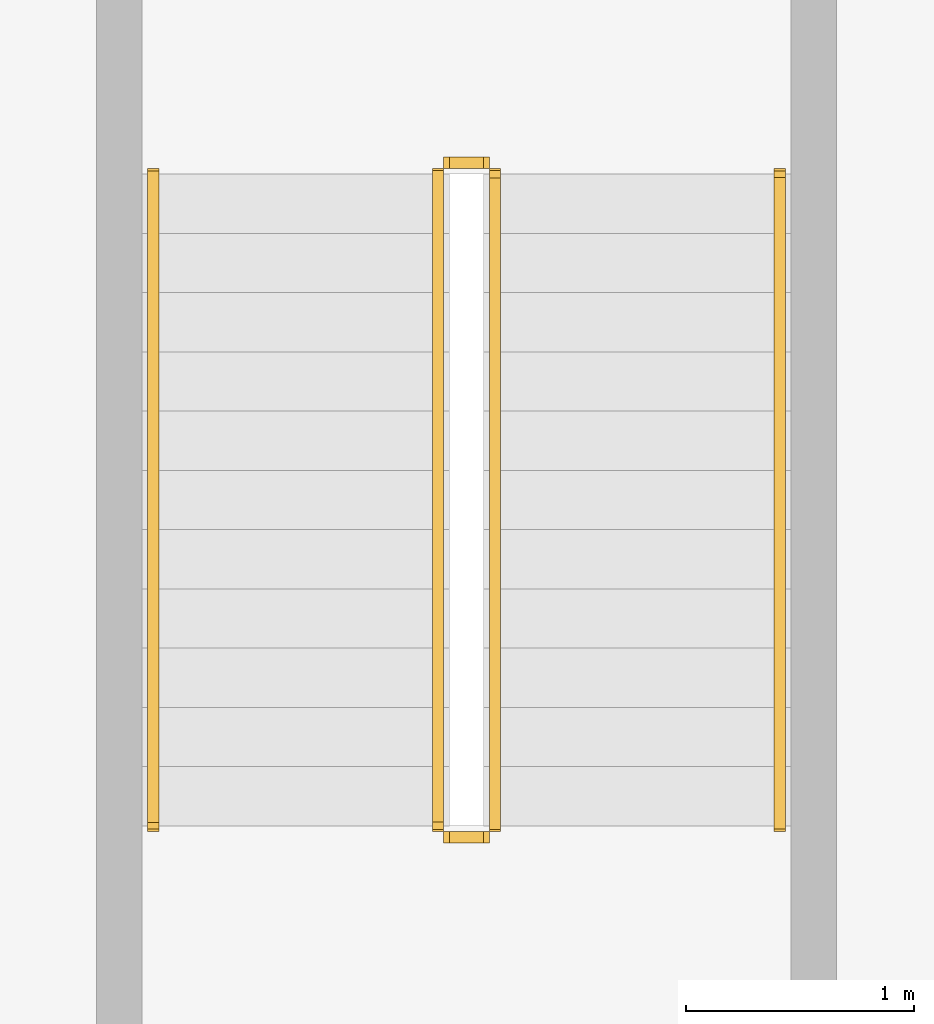
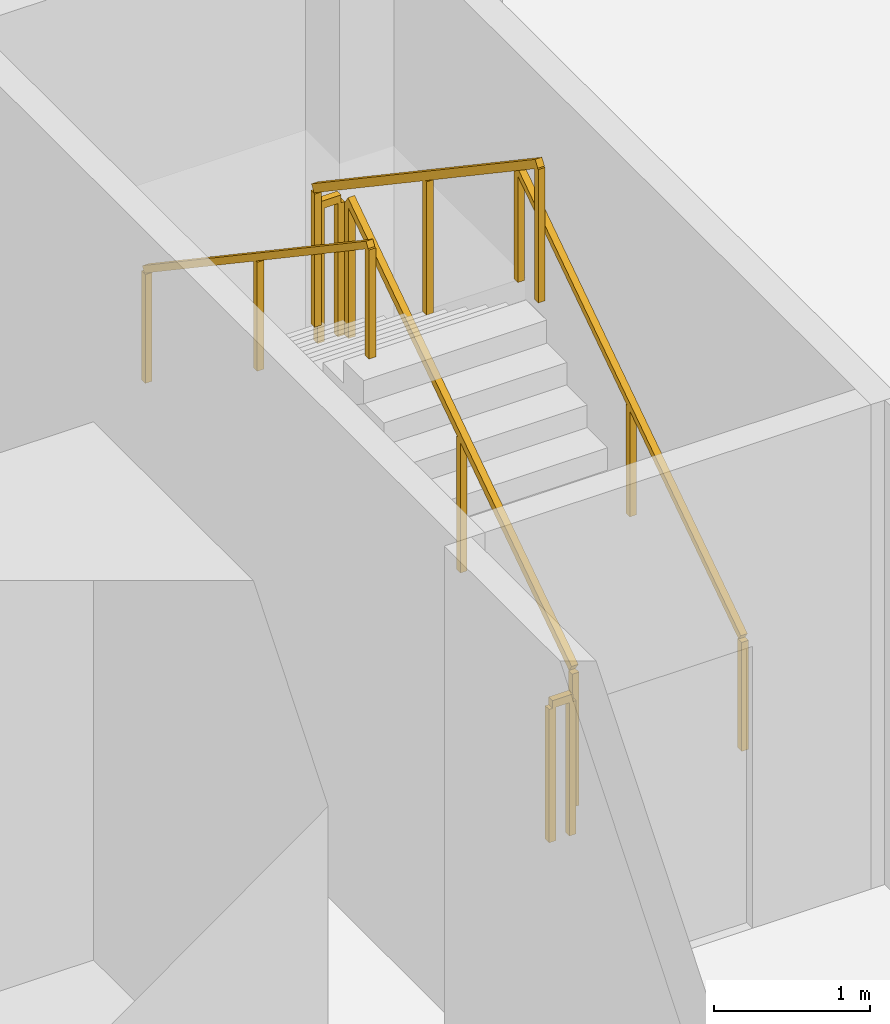
# One storey, part 16 of 16: 6 railings.
"""IFC4 building model written with IfcOpenShell, lengths in metres."""

from ifc_helpers import new_model, si_unit, direction, frame, origin, origin_2d, place, context, subcontext, project, spatial, rectangle, extrude, material, type_object, element, save


model = new_model("IFC4")

# Units and contexts
model_context = context("Model", 3, precision=1e-05, world=origin(), true_north=direction((0.0, 1.0)))
body_context = subcontext(model_context, "Body", "Model", "MODEL_VIEW")
ifc_project = project(units=[si_unit("LENGTHUNIT", "METRE"), si_unit("AREAUNIT", "SQUARE_METRE"), si_unit("VOLUMEUNIT", "CUBIC_METRE"), si_unit("PLANEANGLEUNIT", "RADIAN"), si_unit("MASSUNIT", "GRAM", prefix="KILO")], contexts=[model_context])

# Site, building, storey
site_placement = place(None, origin())
site = spatial("IfcSite", under=ifc_project, at=site_placement, CompositionType="ELEMENT")
building_placement = place(site_placement, origin())
building = spatial("IfcBuilding", under=site, at=building_placement, Name="Khepri Terraces", CompositionType="ELEMENT")
storey_placement = place(building_placement, frame((0.0, 0.0, -4.199951171875)))
storey = spatial("IfcBuildingStorey", under=building, at=storey_placement, Name="B1", CompositionType="ELEMENT", Elevation=-4.199951171875)

# Railings
ifc_material = material(Name="Stainless steel 316", Category="steel")
railing_type_1 = type_object("IfcRailingType", Name="RL-POD-GUARD", PredefinedType="GUARDRAIL", material=ifc_material)
railing_1_placement = place(storey_placement, frame((23.699951171875, 20.050048828125, 0.175048828125)))
element("IfcRailing", 1, at=railing_1_placement, inside=storey, type_object=railing_type_1, Name="B1 PS-1 stair guard 1", PredefinedType="GUARDRAIL", context=body_context, shape_type="SweptSolid", body=[
    extrude(rectangle(XDim=0.050048828125, YDim=0.06005859375, at=origin_2d()), frame((0.0, 0.0, 1.070068359375), z_axis=(0.0, 0.829601626839, 0.558355747482), x_axis=(-1.0, 0.0, 0.0)), (0.0, 0.0, 1.0), 3.447265625),
    extrude(rectangle(XDim=0.050048828125, YDim=0.050048828125, at=origin_2d()), origin(), (0.0, 0.0, 1.0), 1.0400390625),
    extrude(rectangle(XDim=0.050048828125, YDim=0.050048828125, at=origin_2d()), frame((0.0, 1.429931640625, 0.96240234375)), (0.0, 0.0, 1.0), 1.0400390625),
    extrude(rectangle(XDim=0.050048828125, YDim=0.050048828125, at=origin_2d()), frame((0.0, 2.85986328125, 1.9248046875)), (0.0, 0.0, 1.0), 1.0400390625),
])
railing_2_placement = place(storey_placement, frame((23.64990234375, 22.9599609375, 2.099853515625)))
element("IfcRailing", 2, at=railing_2_placement, inside=storey, type_object=railing_type_1, Name="B1 PS-1 stair guard 2", PredefinedType="GUARDRAIL", context=body_context, shape_type="SweptSolid", body=[
    extrude(rectangle(XDim=0.050048828125, YDim=0.06005859375, at=origin_2d()), frame((0.0, 0.0, 1.070068359375), z_axis=(-1.0, 0.0, 0.0), x_axis=(0.0, -1.0, 0.0)), (0.0, 0.0, 1.0), 0.14990234375),
    extrude(rectangle(XDim=0.050048828125, YDim=0.050048828125, at=origin_2d()), origin(), (0.0, 0.0, 1.0), 1.0400390625),
    extrude(rectangle(XDim=0.050048828125, YDim=0.050048828125, at=origin_2d()), frame((-0.14990234375, 0.0, 0.0)), (0.0, 0.0, 1.0), 1.0400390625),
])
railing_3_placement = place(storey_placement, frame((23.449951171875, 22.909912109375, 2.27490234375)))
element("IfcRailing", 3, at=railing_3_placement, inside=storey, type_object=railing_type_1, Name="B1 PS-1 stair guard 3", PredefinedType="GUARDRAIL", context=body_context, shape_type="SweptSolid", body=[
    extrude(rectangle(XDim=0.050048828125, YDim=0.06005859375, at=origin_2d()), frame((0.0, 0.0, 1.070068359375), z_axis=(0.0, -0.829568821333, 0.558404486615), x_axis=(1.0, 0.0, 0.0)), (0.0, 0.0, 1.0), 3.447509765625),
    extrude(rectangle(XDim=0.050048828125, YDim=0.050048828125, at=origin_2d()), origin(), (0.0, 0.0, 1.0), 1.0400390625),
    extrude(rectangle(XDim=0.050048828125, YDim=0.050048828125, at=origin_2d()), frame((0.0, -1.429931640625, 0.96240234375)), (0.0, 0.0, 1.0), 1.0400390625),
    extrude(rectangle(XDim=0.050048828125, YDim=0.050048828125, at=origin_2d()), frame((0.0, -2.85986328125, 1.925048828125)), (0.0, 0.0, 1.0), 1.0400390625),
])
railing_4_placement = place(storey_placement, frame((23.64990234375, 20.0, 0.0)))
element("IfcRailing", 4, at=railing_4_placement, inside=storey, type_object=railing_type_1, Name="B1 PS-1 stair guard 4", PredefinedType="GUARDRAIL", context=body_context, shape_type="SweptSolid", body=[
    extrude(rectangle(XDim=0.050048828125, YDim=0.06005859375, at=origin_2d()), frame((0.0, 0.0, 1.070068359375), z_axis=(-1.0, 0.0, 0.0), x_axis=(0.0, -1.0, 0.0)), (0.0, 0.0, 1.0), 0.14990234375),
    extrude(rectangle(XDim=0.050048828125, YDim=0.050048828125, at=origin_2d()), origin(), (0.0, 0.0, 1.0), 1.0400390625),
    extrude(rectangle(XDim=0.050048828125, YDim=0.050048828125, at=origin_2d()), frame((-0.14990234375, 0.0, 0.0)), (0.0, 0.0, 1.0), 1.0400390625),
])
railing_type_2 = type_object("IfcRailingType", Name="RL-POD-HANDRAIL", PredefinedType="HANDRAIL", material=ifc_material)
railing_5_placement = place(storey_placement, frame((24.949951171875, 20.050048828125, 0.175048828125)))
element("IfcRailing", 5, at=railing_5_placement, inside=storey, type_object=railing_type_2, Name="B1 PS-1 stair handrail 1", PredefinedType="HANDRAIL", context=body_context, shape_type="SweptSolid", body=[
    extrude(rectangle(XDim=0.050048828125, YDim=0.050048828125, at=origin_2d()), frame((0.0, 0.0, 0.875), z_axis=(0.0, 0.829601626839, 0.558355747482), x_axis=(-1.0, 0.0, 0.0)), (0.0, 0.0, 1.0), 3.447265625),
    extrude(rectangle(XDim=0.050048828125, YDim=0.050048828125, at=origin_2d()), origin(), (0.0, 0.0, 1.0), 0.849853515625),
    extrude(rectangle(XDim=0.050048828125, YDim=0.050048828125, at=origin_2d()), frame((0.0, 1.429931640625, 0.96240234375)), (0.0, 0.0, 1.0), 0.849853515625),
    extrude(rectangle(XDim=0.050048828125, YDim=0.050048828125, at=origin_2d()), frame((0.0, 2.85986328125, 1.9248046875)), (0.0, 0.0, 1.0), 0.849853515625),
])
railing_6_placement = place(storey_placement, frame((22.199951171875, 22.909912109375, 2.27490234375)))
element("IfcRailing", 6, at=railing_6_placement, inside=storey, type_object=railing_type_2, Name="B1 PS-1 stair handrail 2", PredefinedType="HANDRAIL", context=body_context, shape_type="SweptSolid", body=[
    extrude(rectangle(XDim=0.050048828125, YDim=0.050048828125, at=origin_2d()), frame((0.0, 0.0, 0.875), z_axis=(0.0, -0.829568821333, 0.558404486615), x_axis=(1.0, 0.0, 0.0)), (0.0, 0.0, 1.0), 3.447509765625),
    extrude(rectangle(XDim=0.050048828125, YDim=0.050048828125, at=origin_2d()), origin(), (0.0, 0.0, 1.0), 0.849853515625),
    extrude(rectangle(XDim=0.050048828125, YDim=0.050048828125, at=origin_2d()), frame((0.0, -1.429931640625, 0.96240234375)), (0.0, 0.0, 1.0), 0.849853515625),
    extrude(rectangle(XDim=0.050048828125, YDim=0.050048828125, at=origin_2d()), frame((0.0, -2.85986328125, 1.925048828125)), (0.0, 0.0, 1.0), 0.849853515625),
])

save(model, "model.ifc")
